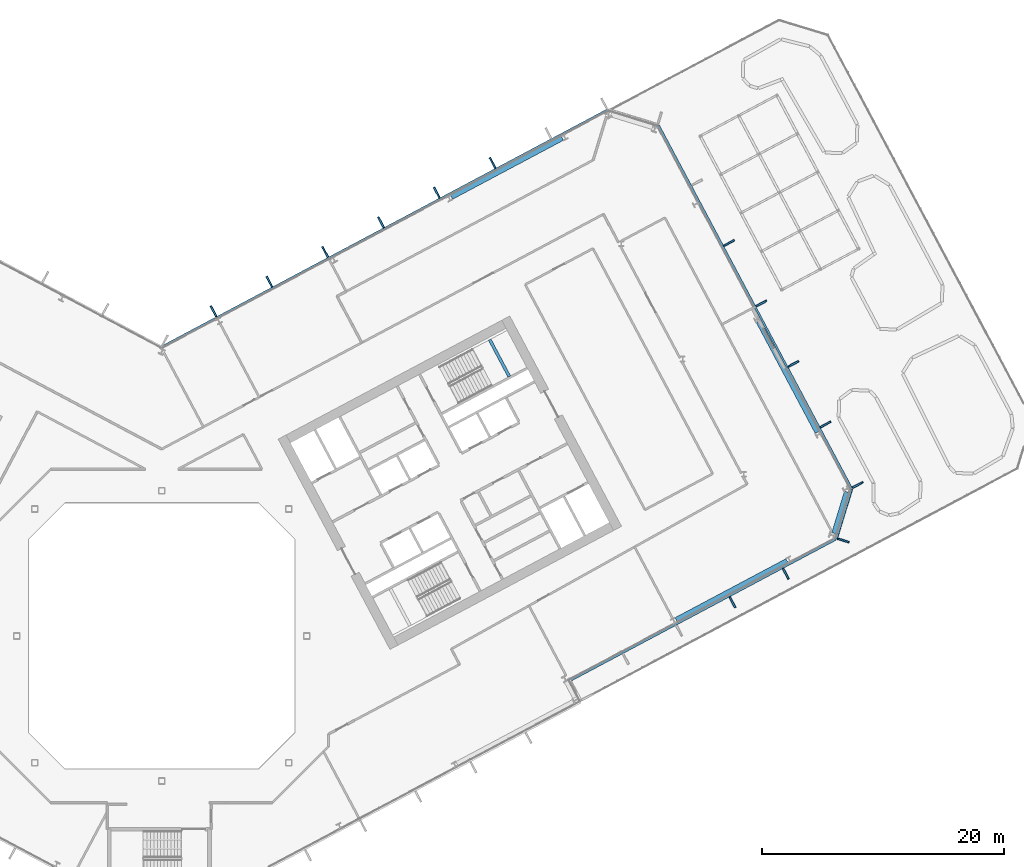
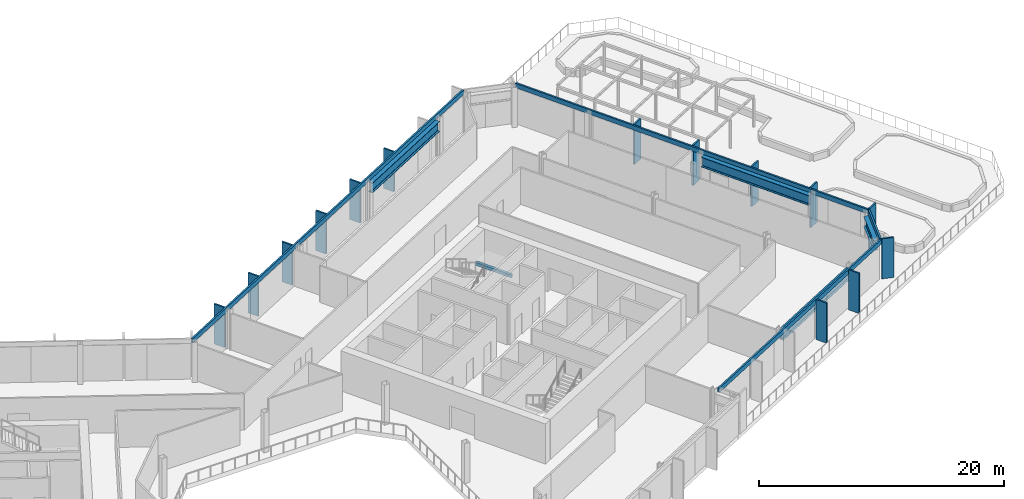
# One storey, part 10 of 34: 18 members, 5 beams, 4 elements without a shape of their own.
"""IFC4 building model written with IfcOpenShell, lengths in metres."""

from ifc_helpers import new_model, si_unit, direction, frame, origin, origin_2d, place, context, subcontext, project, spatial, rectangle, i_section, extrude, material, layer, layer_set, material_profile, profile_set, type_object, element, aggregate, save


model = new_model("IFC4")

# Units and contexts
model_context = context("Model", 3, precision=1e-05, world=origin(), true_north=direction((0.0, 1.0)))
body_context = subcontext(model_context, "Body", "Model", "MODEL_VIEW")
ifc_project = project(units=[si_unit("LENGTHUNIT", "METRE"), si_unit("AREAUNIT", "SQUARE_METRE"), si_unit("VOLUMEUNIT", "CUBIC_METRE"), si_unit("PLANEANGLEUNIT", "RADIAN"), si_unit("MASSUNIT", "GRAM", prefix="KILO")], contexts=[model_context])

# Site, building, storey
site_placement = place(None, origin())
site = spatial("IfcSite", under=ifc_project, at=site_placement, CompositionType="ELEMENT")
building_placement = place(site_placement, origin())
building = spatial("IfcBuilding", under=site, at=building_placement, Name="Cormorant Relay Tower", CompositionType="ELEMENT")
storey_placement = place(building_placement, frame((0.0, 0.0, 118.199951171875)))
storey = spatial("IfcBuildingStorey", under=building, at=storey_placement, Name="L23", CompositionType="ELEMENT", Elevation=118.199951171875)

# Curtain wall, members
ifc_material_1 = material(Name="Aluminium 6063-T6 anodised bronze", Category="aluminium")
ifc_layer = layer(ifc_material_1, 0.199951171875)
ifc_layer_set = layer_set([ifc_layer], Name="CW1 unitised bronze curtain wall with vertical fins")
curtain_wall_type = type_object("IfcCurtainWallType", Name="CW1 unitised bronze curtain wall with vertical fins", PredefinedType="NOTDEFINED", material=ifc_layer_set)
curtain_wall_1_placement = place(storey_placement, origin())
curtain_wall_1 = element("IfcCurtainWall", 1, at=curtain_wall_1_placement, inside=storey, type_object=curtain_wall_type, Name="CW1 curtain wall 4", PredefinedType="NOTDEFINED")
ifc_material_2 = material(Name="Aluminium 6063-T6 anodised bronze", Category="aluminium")
ifc_material_profile_1 = material_profile(ifc_material_2, rectangle(XDim=0.14990234375, YDim=1.0, at=origin_2d()), Name="AL 150x1000")
ifc_profile_set_1 = profile_set([ifc_material_profile_1], Name="Aluminium 6063-T6 anodised bronze")
member_type_1 = type_object("IfcMemberType", Name="CW1 bronze fin mullion 150 x 1000", PredefinedType="MULLION", material=ifc_profile_set_1)
member_1_placement = place(storey_placement, frame((47.21533203125, 2.793212890625, 0.0), z_axis=(0.0, 0.0, 1.0), x_axis=(0.882947592859, 0.469471562786, 0.0)))
member_1 = element("IfcMember", 2, at=member_1_placement, type_object=member_type_1, Name="CW1 fin 4.4", PredefinedType="MULLION", context=body_context, shape_type="SweptSolid", body=[
    extrude(rectangle(XDim=0.14990234375, YDim=1.0, at=origin_2d()), origin(), (0.0, 0.0, 1.0), 4.0),
])
member_2_placement = place(storey_placement, frame((51.630126953125, 5.140625, 0.0), z_axis=(0.0, 0.0, 1.0), x_axis=(0.882947592859, 0.469471562786, 0.0)))
member_2 = element("IfcMember", 3, at=member_2_placement, type_object=member_type_1, Name="CW1 fin 4.5", PredefinedType="MULLION", context=body_context, shape_type="SweptSolid", body=[
    extrude(rectangle(XDim=0.14990234375, YDim=1.0, at=origin_2d()), origin(), (0.0, 0.0, 1.0), 4.0),
])

# Curtain wall, member
curtain_wall_2_placement = place(storey_placement, origin())
curtain_wall_2 = element("IfcCurtainWall", 4, at=curtain_wall_2_placement, inside=storey, type_object=curtain_wall_type, Name="CW1 curtain wall 5", PredefinedType="NOTDEFINED")
member_3_placement = place(storey_placement, frame((56.385498046875, 7.9013671875, 0.0), z_axis=(0.0, 0.0, 1.0), x_axis=(0.292371704723, 0.956304755963, 0.0)))
member_3 = element("IfcMember", 5, at=member_3_placement, type_object=member_type_1, Name="CW1 fin 5.1", PredefinedType="MULLION", context=body_context, shape_type="SweptSolid", body=[
    extrude(rectangle(XDim=0.14990234375, YDim=1.0, at=origin_2d()), origin(), (0.0, 0.0, 1.0), 4.0),
])

# Curtain wall, members
curtain_wall_3_placement = place(storey_placement, origin())
curtain_wall_3 = element("IfcCurtainWall", 6, at=curtain_wall_3_placement, inside=storey, type_object=curtain_wall_type, Name="CW1 curtain wall 6", PredefinedType="NOTDEFINED")
member_4_placement = place(storey_placement, frame((57.57470703125, 12.491943359375, 0.0), z_axis=(0.0, 0.0, 1.0), x_axis=(-0.469471562786, 0.882947592859, 0.0)))
member_4 = element("IfcMember", 7, at=member_4_placement, type_object=member_type_1, Name="CW1 fin 6.1", PredefinedType="MULLION", context=body_context, shape_type="SweptSolid", body=[
    extrude(rectangle(XDim=0.14990234375, YDim=1.0, at=origin_2d()), origin(), (0.0, 0.0, 1.0), 4.0),
])
member_5_placement = place(storey_placement, frame((54.914306640625, 17.4951171875, 0.0), z_axis=(0.0, 0.0, 1.0), x_axis=(-0.469471562786, 0.882947592859, 0.0)))
member_5 = element("IfcMember", 8, at=member_5_placement, type_object=member_type_1, Name="CW1 fin 6.2", PredefinedType="MULLION", context=body_context, shape_type="SweptSolid", body=[
    extrude(rectangle(XDim=0.14990234375, YDim=1.0, at=origin_2d()), origin(), (0.0, 0.0, 1.0), 4.0),
])
member_6_placement = place(storey_placement, frame((52.25390625, 22.49853515625, 0.0), z_axis=(0.0, 0.0, 1.0), x_axis=(-0.469471562786, 0.882947592859, 0.0)))
member_6 = element("IfcMember", 9, at=member_6_placement, type_object=member_type_1, Name="CW1 fin 6.3", PredefinedType="MULLION", context=body_context, shape_type="SweptSolid", body=[
    extrude(rectangle(XDim=0.14990234375, YDim=1.0, at=origin_2d()), origin(), (0.0, 0.0, 1.0), 4.0),
])
member_7_placement = place(storey_placement, frame((49.59375, 27.501953125, 0.0), z_axis=(0.0, 0.0, 1.0), x_axis=(-0.469471562786, 0.882947592859, 0.0)))
member_7 = element("IfcMember", 10, at=member_7_placement, type_object=member_type_1, Name="CW1 fin 6.4", PredefinedType="MULLION", context=body_context, shape_type="SweptSolid", body=[
    extrude(rectangle(XDim=0.14990234375, YDim=1.0, at=origin_2d()), origin(), (0.0, 0.0, 1.0), 4.0),
])
member_8_placement = place(storey_placement, frame((46.933349609375, 32.50537109375, 0.0), z_axis=(0.0, 0.0, 1.0), x_axis=(-0.469471562786, 0.882947592859, 0.0)))
member_8 = element("IfcMember", 11, at=member_8_placement, type_object=member_type_1, Name="CW1 fin 6.5", PredefinedType="MULLION", context=body_context, shape_type="SweptSolid", body=[
    extrude(rectangle(XDim=0.14990234375, YDim=1.0, at=origin_2d()), origin(), (0.0, 0.0, 1.0), 4.0),
])

curtain_wall_4_placement = place(storey_placement, origin())
curtain_wall_4 = element("IfcCurtainWall", 12, at=curtain_wall_4_placement, inside=storey, type_object=curtain_wall_type, Name="CW1 curtain wall 8", PredefinedType="NOTDEFINED")
member_9_placement = place(storey_placement, frame((27.37451171875, 39.132080078125, 0.0), z_axis=(0.0, 0.0, 1.0), x_axis=(-0.882947592859, -0.469471562786, 0.0)))
member_9 = element("IfcMember", 13, at=member_9_placement, type_object=member_type_1, Name="CW1 fin 8.3", PredefinedType="MULLION", context=body_context, shape_type="SweptSolid", body=[
    extrude(rectangle(XDim=0.14990234375, YDim=1.0, at=origin_2d()), origin(), (0.0, 0.0, 1.0), 4.0),
])
member_10_placement = place(storey_placement, frame((22.757080078125, 36.677001953125, 0.0), z_axis=(0.0, 0.0, 1.0), x_axis=(-0.882947592859, -0.469471562786, 0.0)))
member_10 = element("IfcMember", 14, at=member_10_placement, type_object=member_type_1, Name="CW1 fin 8.4", PredefinedType="MULLION", context=body_context, shape_type="SweptSolid", body=[
    extrude(rectangle(XDim=0.14990234375, YDim=1.0, at=origin_2d()), origin(), (0.0, 0.0, 1.0), 4.0),
])
member_11_placement = place(storey_placement, frame((18.139892578125, 34.221923828125, 0.0), z_axis=(0.0, 0.0, 1.0), x_axis=(-0.882947592859, -0.469471562786, 0.0)))
member_11 = element("IfcMember", 15, at=member_11_placement, type_object=member_type_1, Name="CW1 fin 8.5", PredefinedType="MULLION", context=body_context, shape_type="SweptSolid", body=[
    extrude(rectangle(XDim=0.14990234375, YDim=1.0, at=origin_2d()), origin(), (0.0, 0.0, 1.0), 4.0),
])
member_12_placement = place(storey_placement, frame((13.52294921875, 31.76708984375, 0.0), z_axis=(0.0, 0.0, 1.0), x_axis=(-0.882947592859, -0.469471562786, 0.0)))
member_12 = element("IfcMember", 16, at=member_12_placement, type_object=member_type_1, Name="CW1 fin 8.6", PredefinedType="MULLION", context=body_context, shape_type="SweptSolid", body=[
    extrude(rectangle(XDim=0.14990234375, YDim=1.0, at=origin_2d()), origin(), (0.0, 0.0, 1.0), 4.0),
])
member_13_placement = place(storey_placement, frame((8.90576171875, 29.31201171875, 0.0), z_axis=(0.0, 0.0, 1.0), x_axis=(-0.882947592859, -0.469471562786, 0.0)))
member_13 = element("IfcMember", 17, at=member_13_placement, type_object=member_type_1, Name="CW1 fin 8.7", PredefinedType="MULLION", context=body_context, shape_type="SweptSolid", body=[
    extrude(rectangle(XDim=0.14990234375, YDim=1.0, at=origin_2d()), origin(), (0.0, 0.0, 1.0), 4.0),
])
member_14_placement = place(storey_placement, frame((4.28857421875, 26.85693359375, 0.0), z_axis=(0.0, 0.0, 1.0), x_axis=(-0.882947592859, -0.469471562786, 0.0)))
member_14 = element("IfcMember", 18, at=member_14_placement, type_object=member_type_1, Name="CW1 fin 8.8", PredefinedType="MULLION", context=body_context, shape_type="SweptSolid", body=[
    extrude(rectangle(XDim=0.14990234375, YDim=1.0, at=origin_2d()), origin(), (0.0, 0.0, 1.0), 4.0),
])

# Member
ifc_material_3 = material(Name="Aluminium 6063-T6 anodised bronze", Category="aluminium")
ifc_material_profile_2 = material_profile(ifc_material_3, rectangle(XDim=0.159912109375, YDim=0.449951171875, at=origin_2d()), Name="AL 160x450")
ifc_profile_set_2 = profile_set([ifc_material_profile_2], Name="Aluminium 6063-T6 anodised bronze")
member_type_2 = type_object("IfcMemberType", Name="CW1 bronze transom 160 x 450", PredefinedType="USERDEFINED", material=ifc_profile_set_2)
member_15_placement = place(storey_placement, frame((33.69873046875, -3.73681640625, 3.775146484375), z_axis=(0.88294749795, 0.469471741284, 0.0), x_axis=(-0.469471741284, 0.88294749795, 0.0)))
member_15 = element("IfcMember", 19, at=member_15_placement, type_object=member_type_2, Name="CW1 transom 4", ObjectType="TRANSOM", PredefinedType="USERDEFINED", context=body_context, shape_type="SweptSolid", body=[
    extrude(rectangle(XDim=0.159912109375, YDim=0.449951171875, at=origin_2d()), origin(), (0.0, 0.0, 1.0), 25.0),
])

aggregate(curtain_wall_1, [member_1, member_2, member_15])

member_16_placement = place(storey_placement, frame((55.830810546875, 8.07080078125, 3.775146484375), z_axis=(0.292374957137, 0.956303761594, 0.0), x_axis=(-0.956303761594, 0.292374957137, 0.0)))
member_16 = element("IfcMember", 20, at=member_16_placement, type_object=member_type_2, Name="CW1 transom 5", ObjectType="TRANSOM", PredefinedType="USERDEFINED", context=body_context, shape_type="SweptSolid", body=[
    extrude(rectangle(XDim=0.159912109375, YDim=0.449951171875, at=origin_2d()), origin(), (0.0, 0.0, 1.0), 4.24267578125),
])

aggregate(curtain_wall_2, [member_3, member_16])

member_17_placement = place(storey_placement, frame((57.0625, 12.219482421875, 3.775146484375), z_axis=(-0.469468277635, 0.882949339597, 0.0), x_axis=(-0.882949339597, -0.469468277635, 0.0)))
member_17 = element("IfcMember", 21, at=member_17_placement, type_object=member_type_2, Name="CW1 transom 6", ObjectType="TRANSOM", PredefinedType="USERDEFINED", context=body_context, shape_type="SweptSolid", body=[
    extrude(rectangle(XDim=0.159912109375, YDim=0.449951171875, at=origin_2d()), origin(), (0.0, 0.0, 1.0), 34.0),
])

aggregate(curtain_wall_3, [member_4, member_5, member_6, member_7, member_8, member_17])

member_18_placement = place(storey_placement, frame((36.881103515625, 43.52978515625, 3.775146484375), z_axis=(-0.88294882701, -0.469469241677, 0.0), x_axis=(0.469469241677, -0.88294882701, 0.0)))
member_18 = element("IfcMember", 22, at=member_18_placement, type_object=member_type_2, Name="CW1 transom 8", ObjectType="TRANSOM", PredefinedType="USERDEFINED", context=body_context, shape_type="SweptSolid", body=[
    extrude(rectangle(XDim=0.159912109375, YDim=0.449951171875, at=origin_2d()), origin(), (0.0, 0.0, 1.0), 41.834228515625),
])

aggregate(curtain_wall_4, [member_9, member_10, member_11, member_12, member_13, member_14, member_18])

# Beams
ifc_material_4 = material(Name="Steel ASTM A992 (Fy 345 MPa)", Category="steel")
ifc_material_profile_3 = material_profile(ifc_material_4, i_section(OverallWidth=0.4013671875, OverallDepth=1.000732421875, WebThickness=0.01904296875, FlangeThickness=0.0361328125, FilletRadius=0.02978515625, at=origin_2d()), Name="W1000x371")
ifc_profile_set_3 = profile_set([ifc_material_profile_3], Name="Steel ASTM A992 (Fy 345 MPa)")
beam_type_1 = type_object("IfcBeamType", Name="Spandrel W1000x371", PredefinedType="SPANDREL", material=ifc_profile_set_3)
beam_1_placement = place(storey_placement, frame((42.5595703125, 1.337890625, 3.1396484375), z_axis=(0.882955922346, 0.469455896963, 0.0), x_axis=(-0.469455896963, 0.882955922346, 0.0)))
element("IfcBeam", 23, at=beam_1_placement, inside=storey, type_object=beam_type_1, Name="Spandrel beam L23-004", PredefinedType="SPANDREL", context=body_context, shape_type="SweptSolid", body=[
    extrude(i_section(OverallWidth=0.4013671875, OverallDepth=1.000732421875, WebThickness=0.01904296875, FlangeThickness=0.0361328125, FilletRadius=0.02978515625, at=origin_2d()), origin(), (0.0, 0.0, 1.0), 10.388427734375),
])
beam_2_placement = place(storey_placement, frame((55.62548828125, 8.495849609375, 3.1396484375), z_axis=(0.29237248799, 0.956304516494, 0.0), x_axis=(-0.956304516494, 0.29237248799, 0.0)))
element("IfcBeam", 24, at=beam_2_placement, inside=storey, type_object=beam_type_1, Name="Spandrel beam L23-005", PredefinedType="SPANDREL", context=body_context, shape_type="SweptSolid", body=[
    extrude(i_section(OverallWidth=0.4013671875, OverallDepth=1.000732421875, WebThickness=0.01904296875, FlangeThickness=0.0361328125, FilletRadius=0.02978515625, at=origin_2d()), origin(), (0.0, 0.0, 1.0), 3.585693359375),
])
beam_3_placement = place(storey_placement, frame((54.24169921875, 16.841796875, 3.1396484375), z_axis=(-0.469474218299, 0.882946180893, 0.0), x_axis=(-0.882946180893, -0.469474218299, 0.0)))
element("IfcBeam", 25, at=beam_3_placement, inside=storey, type_object=beam_type_1, Name="Spandrel beam L23-006", PredefinedType="SPANDREL", context=body_context, shape_type="SweptSolid", body=[
    extrude(i_section(OverallWidth=0.4013671875, OverallDepth=1.000732421875, WebThickness=0.01904296875, FlangeThickness=0.0361328125, FilletRadius=0.02978515625, at=origin_2d()), origin(), (0.0, 0.0, 1.0), 10.388671875),
])
beam_4_placement = place(storey_placement, frame((33.141357421875, 41.17822265625, 3.1396484375), z_axis=(-0.882955922346, -0.469455896963, 0.0), x_axis=(0.469455896963, -0.882955922346, 0.0)))
element("IfcBeam", 26, at=beam_4_placement, inside=storey, type_object=beam_type_1, Name="Spandrel beam L23-008", PredefinedType="SPANDREL", context=body_context, shape_type="SweptSolid", body=[
    extrude(i_section(OverallWidth=0.4013671875, OverallDepth=1.000732421875, WebThickness=0.01904296875, FlangeThickness=0.0361328125, FilletRadius=0.02978515625, at=origin_2d()), origin(), (0.0, 0.0, 1.0), 10.388427734375),
])
ifc_material_5 = material(Name="Concrete 50 MPa", Category="concrete")
ifc_material_profile_4 = material_profile(ifc_material_5, rectangle(XDim=0.25, YDim=0.300048828125, at=origin_2d()), Name="RC 250x300")
ifc_profile_set_4 = profile_set([ifc_material_profile_4], Name="Concrete 50 MPa")
beam_type_2 = type_object("IfcBeamType", Name="Stair landing ledge beam 250x300", PredefinedType="BEAM", material=ifc_profile_set_4)
beam_5_placement = place(storey_placement, frame((28.755126953125, 21.4619140625, 1.650146484375), z_axis=(-0.469463917486, 0.882951657895, 0.0), x_axis=(-0.882951657895, -0.469463917486, 0.0)))
element("IfcBeam", 27, at=beam_5_placement, inside=storey, type_object=beam_type_2, Name="B2 landing ledge beam", PredefinedType="BEAM", context=body_context, shape_type="SweptSolid", body=[
    extrude(rectangle(XDim=0.25, YDim=0.300048828125, at=origin_2d()), origin(), (0.0, 0.0, 1.0), 3.449951171875),
])

save(model, "model.ifc")
